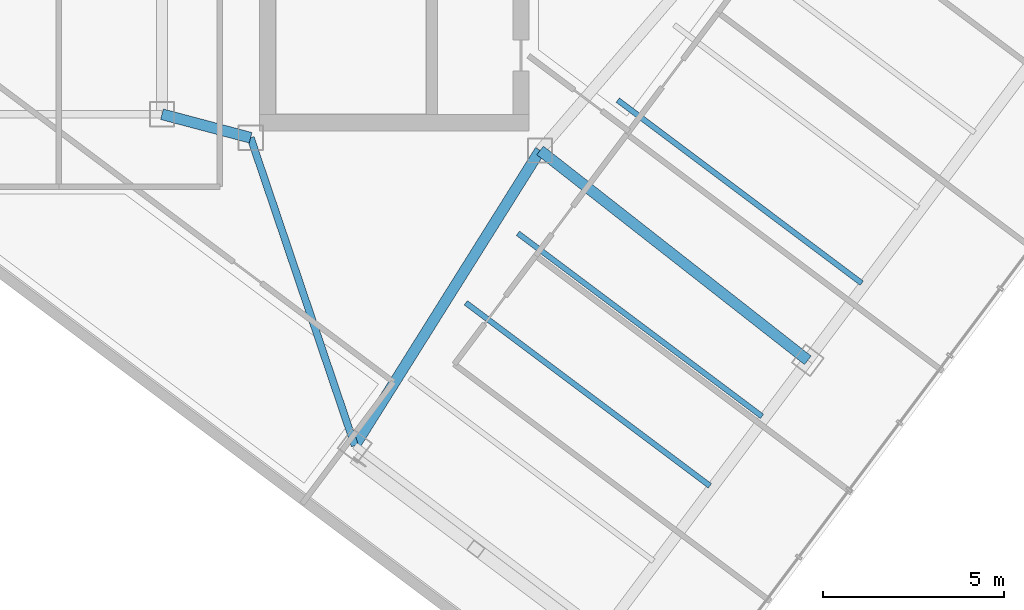
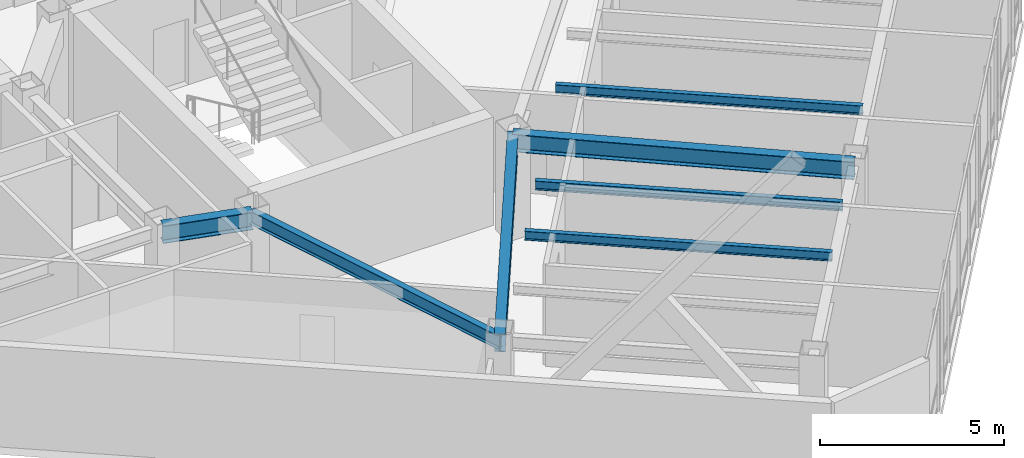
# One storey, part 3 of 25: 7 beams.
"""IFC4 building model written with IfcOpenShell, lengths in metres."""

from ifc_helpers import new_model, si_unit, direction, frame, origin, origin_2d, place, context, subcontext, project, spatial, i_section, extrude, material, material_profile, profile_set, type_object, element, save


model = new_model("IFC4")

# Units and contexts
model_context = context("Model", 3, precision=1e-05, world=origin(), true_north=direction((0.0, 1.0)))
body_context = subcontext(model_context, "Body", "Model", "MODEL_VIEW")
ifc_project = project(units=[si_unit("LENGTHUNIT", "METRE"), si_unit("AREAUNIT", "SQUARE_METRE"), si_unit("VOLUMEUNIT", "CUBIC_METRE"), si_unit("PLANEANGLEUNIT", "RADIAN"), si_unit("MASSUNIT", "GRAM", prefix="KILO")], contexts=[model_context])

# Site, building, storey
site_placement = place(None, origin())
site = spatial("IfcSite", under=ifc_project, at=site_placement, CompositionType="ELEMENT")
building_placement = place(site_placement, origin())
building = spatial("IfcBuilding", under=site, at=building_placement, Name="Hatsunagi Terrace Concourse", CompositionType="ELEMENT")
storey_placement = place(building_placement, frame((0.0, 0.0, 223.949951171875)))
storey = spatial("IfcBuildingStorey", under=building, at=storey_placement, Name="L59", CompositionType="ELEMENT", Elevation=223.949951171875)

# Beams
ifc_material_1 = material(Name="Steel SN490B", Category="steel")
ifc_material_profile_1 = material_profile(ifc_material_1, i_section(OverallWidth=0.300048828125, OverallDepth=0.587890625, WebThickness=0.011962890625, FlangeThickness=0.02001953125, FilletRadius=0.01806640625, at=origin_2d()), Name="H-588x300x12x20")
ifc_profile_set_1 = profile_set([ifc_material_profile_1], Name="Steel SN490B")
beam_type_1 = type_object("IfcBeamType", Name="OfficeHighGirder_H_588x300", PredefinedType="BEAM", material=ifc_profile_set_1)
beam_1_placement = place(storey_placement, frame((33.35009765625, 25.199951171875, 3.05615234375), z_axis=(0.966569840116, -0.256403479262, 0.0), x_axis=(0.256403479262, 0.966569840116, 0.0)))
element("IfcBeam", 1, at=beam_1_placement, inside=storey, type_object=beam_type_1, Name="Beam G-06 BM-L59-K2CB", PredefinedType="BEAM", context=body_context, shape_type="SweptSolid", body=[
    extrude(i_section(OverallWidth=0.300048828125, OverallDepth=0.587890625, WebThickness=0.011962890625, FlangeThickness=0.02001953125, FilletRadius=0.01806640625, at=origin_2d()), origin(), (0.0, 0.0, 1.0), 2.53466796875),
])
beam_2_placement = place(storey_placement, frame((38.679931640625, 16.0400390625, 3.05615234375), z_axis=(0.531503907049, 0.847055840421, 0.0), x_axis=(-0.847055840421, 0.531503907049, 0.0)))
element("IfcBeam", 2, at=beam_2_placement, inside=storey, type_object=beam_type_1, Name="Beam G-06 BM-L59-SET-1A", PredefinedType="BEAM", context=body_context, shape_type="SweptSolid", body=[
    extrude(i_section(OverallWidth=0.300048828125, OverallDepth=0.587890625, WebThickness=0.011962890625, FlangeThickness=0.02001953125, FilletRadius=0.01806640625, at=origin_2d()), origin(), (0.0, 0.0, 1.0), 9.63330078125),
])
beam_3_placement = place(storey_placement, frame((43.800048828125, 24.199951171875, 3.05615234375), z_axis=(0.787049441068, -0.616889923175, 0.0), x_axis=(0.616889923175, 0.787049441068, 0.0)))
element("IfcBeam", 3, at=beam_3_placement, inside=storey, type_object=beam_type_1, Name="Beam G-06 BM-L59-SE-M2", PredefinedType="BEAM", context=body_context, shape_type="SweptSolid", body=[
    extrude(i_section(OverallWidth=0.300048828125, OverallDepth=0.587890625, WebThickness=0.011962890625, FlangeThickness=0.02001953125, FilletRadius=0.01806640625, at=origin_2d()), origin(), (0.0, 0.0, 1.0), 9.402099609375),
])
ifc_material_2 = material(Name="Steel SN490B", Category="steel")
ifc_material_profile_2 = material_profile(ifc_material_2, i_section(OverallWidth=0.14990234375, OverallDepth=0.300048828125, WebThickness=0.006591796875, FlangeThickness=0.009033203125, FilletRadius=0.010986328125, at=origin_2d()), Name="H-300x150x6.5x9")
ifc_profile_set_2 = profile_set([ifc_material_profile_2], Name="Steel SN490B")
beam_type_2 = type_object("IfcBeamType", Name="OfficeJoist_H_300x150", PredefinedType="JOIST", material=ifc_profile_set_2)
for number, where, z_axis, x_axis, name in (
    (4, (41.748046875, 19.989013671875, 3.199951171875), (0.799989573921, -0.600013901187, 0.0), (0.600013901187, 0.799989573921, 0.0), "Beam J-03 J-L59-SE-2-72"),
    (5, (43.18798828125, 21.908935546875, 3.199951171875), (0.800003475366, -0.59999536615, 0.0), (0.59999536615, 0.800003475366, 0.0), "Beam J-03 J-L59-SE-2-96"),
    (6, (45.947998046875, 25.589111328125, 3.199951171875), (0.799989573921, -0.600013901187, 0.0), (0.600013901187, 0.799989573921, 0.0), "Beam J-03 J-L59-SE-2-142"),
):
    element("IfcBeam", number, at=place(storey_placement, frame(where, z_axis=z_axis, x_axis=x_axis)), inside=storey, type_object=beam_type_2, Name=name, PredefinedType="JOIST", context=body_context, shape_type="SweptSolid", body=[
        extrude(i_section(OverallWidth=0.14990234375, OverallDepth=0.300048828125, WebThickness=0.006591796875, FlangeThickness=0.009033203125, FilletRadius=0.010986328125, at=origin_2d()), origin(), (0.0, 0.0, 1.0), 8.429931640625),
    ])
ifc_material_3 = material(Name="Steel SN490B", Category="steel")
ifc_material_profile_3 = material_profile(ifc_material_3, i_section(OverallWidth=0.199951171875, OverallDepth=0.449951171875, WebThickness=0.009033203125, FlangeThickness=0.013916015625, FilletRadius=0.01611328125, at=origin_2d()), Name="H-450x200x9x14")
ifc_profile_set_3 = profile_set([ifc_material_profile_3], Name="Steel SN490B")
beam_type_3 = type_object("IfcBeamType", Name="PerimeterSpandrel_H_450x200", PredefinedType="SPANDREL", material=ifc_profile_set_3)
beam_4_placement = place(storey_placement, frame((35.800048828125, 24.550048828125, 3.125), z_axis=(0.320553412271, -0.947230441805, 0.0), x_axis=(0.947230441805, 0.320553412271, 0.0)))
element("IfcBeam", 7, at=beam_4_placement, inside=storey, type_object=beam_type_3, Name="Beam SP-02 BM-L59-SE-SW0", PredefinedType="SPANDREL", context=body_context, shape_type="SweptSolid", body=[
    extrude(i_section(OverallWidth=0.199951171875, OverallDepth=0.449951171875, WebThickness=0.009033203125, FlangeThickness=0.013916015625, FilletRadius=0.01611328125, at=origin_2d()), origin(), (0.0, 0.0, 1.0), 8.984130859375),
])

save(model, "model.ifc")
